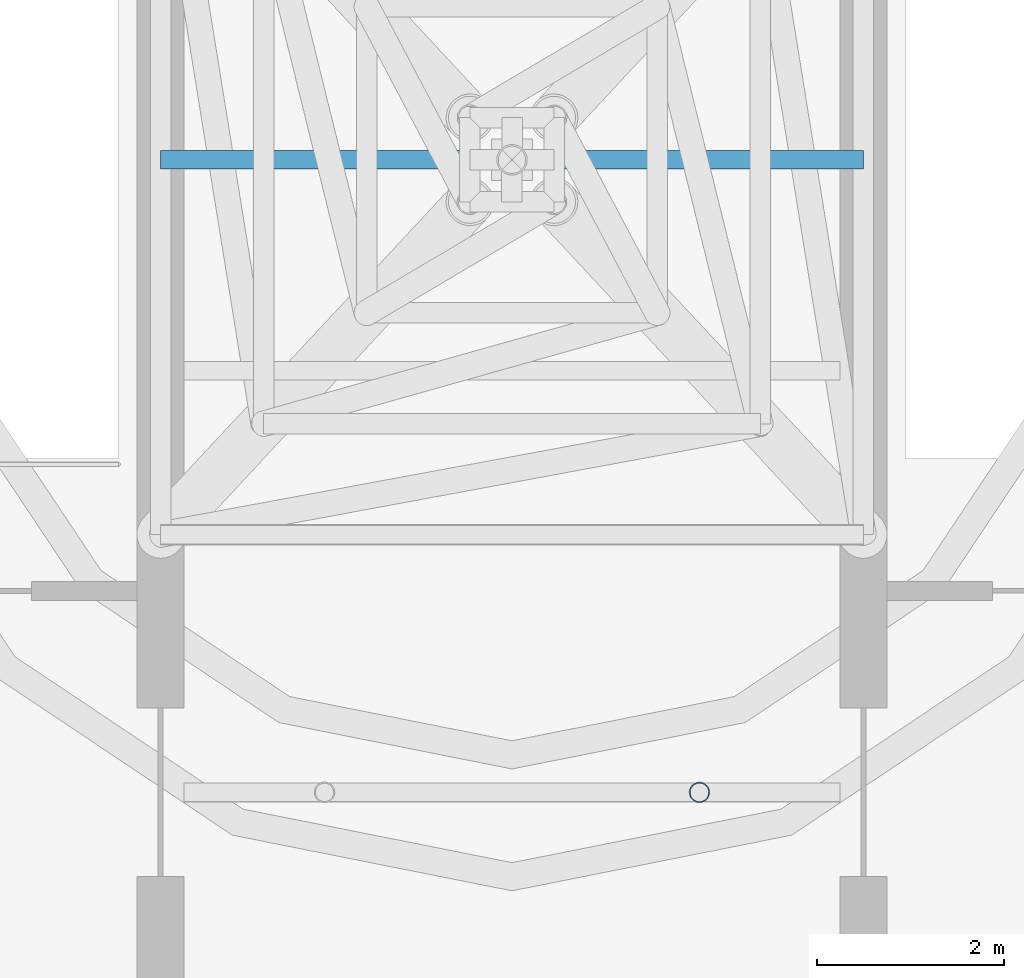
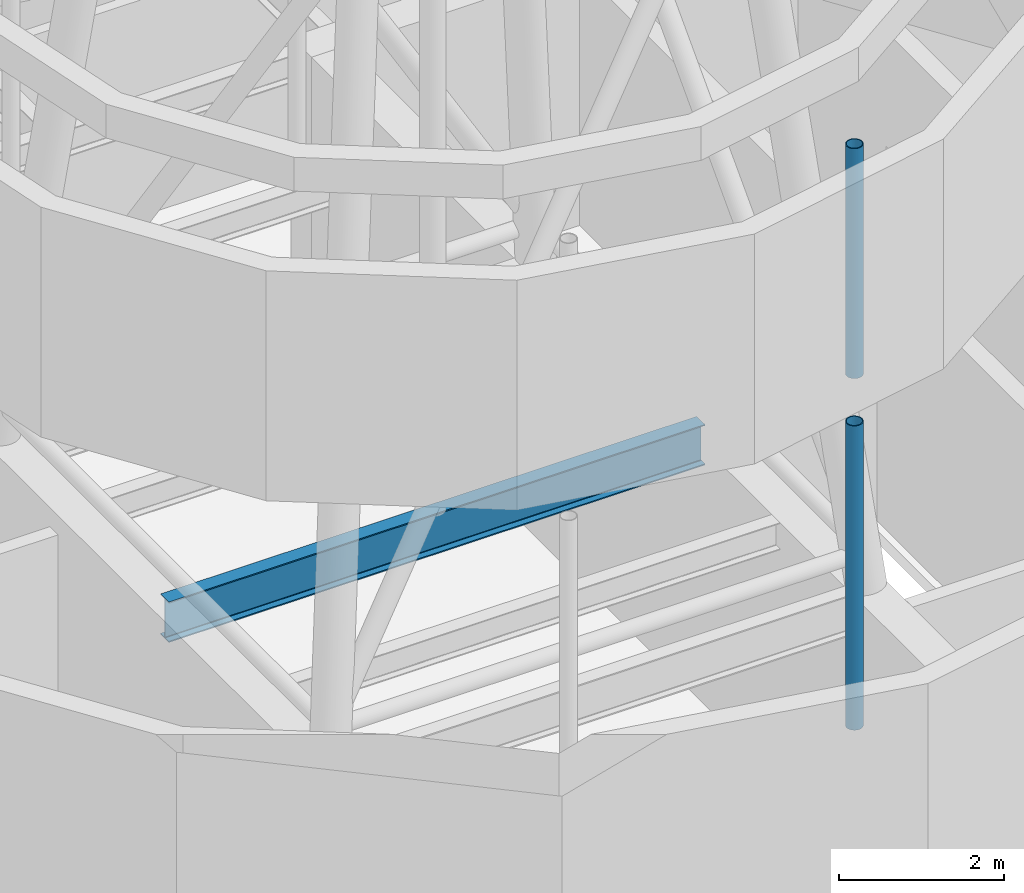
# One storey, part 5 of 17: 2 members, 1 beam.
"""IFC4 building model written with IfcOpenShell, lengths in metres."""

from ifc_helpers import new_model, si_unit, direction, frame, origin, origin_2d, place, context, subcontext, project, spatial, hollow_circle, i_section, extrude, material, material_profile, profile_set, type_object, element, save


model = new_model("IFC4")

# Units and contexts
model_context = context("Model", 3, precision=1e-05, world=origin(), true_north=direction((0.0, 1.0)))
body_context = subcontext(model_context, "Body", "Model", "MODEL_VIEW")
ifc_project = project(units=[si_unit("LENGTHUNIT", "METRE"), si_unit("AREAUNIT", "SQUARE_METRE"), si_unit("VOLUMEUNIT", "CUBIC_METRE"), si_unit("PLANEANGLEUNIT", "RADIAN"), si_unit("MASSUNIT", "GRAM", prefix="KILO")], contexts=[model_context])

# Site, building, storey
site_placement = place(None, origin())
site = spatial("IfcSite", under=ifc_project, at=site_placement, CompositionType="ELEMENT")
building_placement = place(site_placement, origin())
building = spatial("IfcBuilding", under=site, at=building_placement, Name="Tamarind Cross Interchange Tower", CompositionType="ELEMENT")
storey_placement = place(building_placement, frame((0.0, 0.0, 325.39990234375)))
storey = spatial("IfcBuildingStorey", under=building, at=storey_placement, Name="L80", CompositionType="ELEMENT", Elevation=325.39990234375)

# Members
ifc_material = material(Name="Steel Q355B", Category="steel")
ifc_material_profile_1 = material_profile(ifc_material, hollow_circle(Radius=0.109619140625, WallThickness=0.011962890625, at=origin_2d()), Name="CHS 219x12")
ifc_profile_set_1 = profile_set([ifc_material_profile_1], Name="Steel Q355B")
member_type = type_object("IfcMemberType", Name="Lantern post CHS 219x12 Q355B", PredefinedType="POST", material=ifc_profile_set_1)
member_1_placement = place(storey_placement, frame((2.0, -6.75, 4.0), z_axis=(0.0, 0.0, 1.0), x_axis=(1.0, 0.0, 0.0)))
element("IfcMember", 1, at=member_1_placement, inside=storey, type_object=member_type, Name="Lantern post low 4", PredefinedType="POST", context=body_context, shape_type="SweptSolid", body=[
    extrude(hollow_circle(Radius=0.109619140625, WallThickness=0.011962890625, at=origin_2d()), origin(), (0.0, 0.0, 1.0), 4.5),
])
member_2_placement = place(storey_placement, frame((2.0, -6.75, 9.2001953125), z_axis=(0.0, 0.0, 1.0), x_axis=(1.0, 0.0, 0.0)))
element("IfcMember", 2, at=member_2_placement, inside=storey, type_object=member_type, Name="Lantern post up 4", PredefinedType="POST", context=body_context, shape_type="SweptSolid", body=[
    extrude(hollow_circle(Radius=0.109619140625, WallThickness=0.011962890625, at=origin_2d()), origin(), (0.0, 0.0, 1.0), 3.39990234375),
])

# Beam
ifc_material_profile_2 = material_profile(ifc_material, i_section(OverallWidth=0.199951171875, OverallDepth=0.60009765625, WebThickness=0.010986328125, FlangeThickness=0.01708984375, FilletRadius=0.012939453125, at=origin_2d()), Name="HN 600x200x11x17")
ifc_profile_set_2 = profile_set([ifc_material_profile_2], Name="Steel Q355B")
beam_type = type_object("IfcBeamType", Name="Roof tie girder HN 600x200x11x17 Q355B", PredefinedType="BEAM", material=ifc_profile_set_2)
beam_placement = place(storey_placement, frame((-3.75, 0.0, 3.5), z_axis=(1.0, 0.0, 0.0), x_axis=(0.0, 1.0, 0.0)))
element("IfcBeam", 3, at=beam_placement, inside=storey, type_object=beam_type, Name="Roof tie girder 3", PredefinedType="BEAM", context=body_context, shape_type="SweptSolid", body=[
    extrude(i_section(OverallWidth=0.199951171875, OverallDepth=0.60009765625, WebThickness=0.010986328125, FlangeThickness=0.01708984375, FilletRadius=0.012939453125, at=origin_2d()), origin(), (0.0, 0.0, 1.0), 7.5),
])

save(model, "model.ifc")
